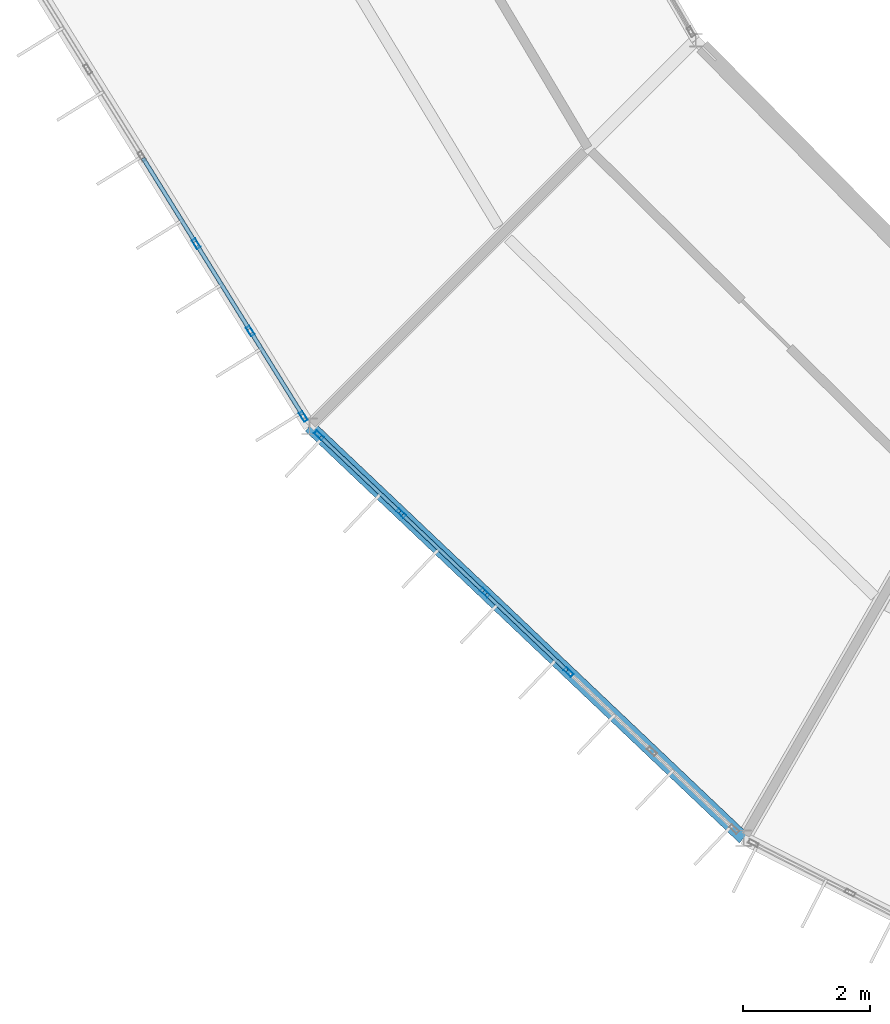
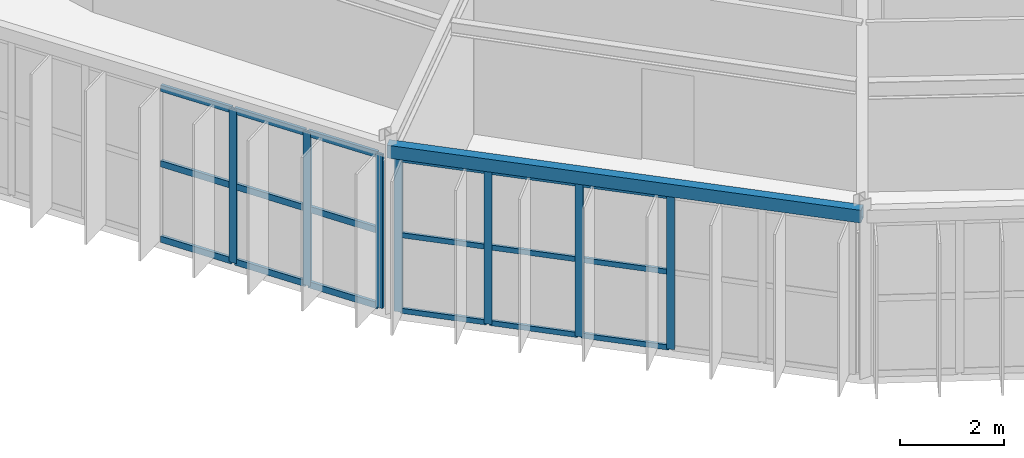
# One storey, part 22 of 130: 25 members, 1 beam, 2 elements without a shape of their own.
"""IFC4 building model written with IfcOpenShell, lengths in metres."""

from ifc_helpers import new_model, si_unit, direction, frame, origin, origin_2d, place, context, subcontext, project, spatial, hollow_rectangle, extrude, material, material_profile, profile_set, type_object, element, aggregate, save


model = new_model("IFC4")

# Units and contexts
model_context = context("Model", 3, precision=1e-05, world=origin(), true_north=direction((0.0, 1.0)))
body_context = subcontext(model_context, "Body", "Model", "MODEL_VIEW")
ifc_project = project(units=[si_unit("LENGTHUNIT", "METRE"), si_unit("AREAUNIT", "SQUARE_METRE"), si_unit("VOLUMEUNIT", "CUBIC_METRE"), si_unit("PLANEANGLEUNIT", "RADIAN"), si_unit("MASSUNIT", "GRAM", prefix="KILO")], contexts=[model_context])

# Site, building, storey
site_placement = place(None, origin())
site = spatial("IfcSite", under=ifc_project, at=site_placement, CompositionType="ELEMENT")
building_placement = place(site_placement, origin())
building = spatial("IfcBuilding", under=site, at=building_placement, Name="Karori Crest Natural Sciences Institute", CompositionType="ELEMENT")
storey_placement = place(building_placement, frame((0.0, 0.0, 17.5)))
storey = spatial("IfcBuildingStorey", under=building, at=storey_placement, Name="L04", CompositionType="ELEMENT", Elevation=17.5)

# Beam
ifc_material_1 = material(Name="Hollow structural steel AS/NZS 1163 Grade C350", Category="steel")
ifc_material_profile_1 = material_profile(ifc_material_1, hollow_rectangle(XDim=0.199951171875, YDim=0.300048828125, WallThickness=0.010009765625, at=origin_2d()), Name="RHS300x200x10")
ifc_profile_set_1 = profile_set([ifc_material_profile_1], Name="Hollow structural steel AS/NZS 1163 Grade C350")
beam_type = type_object("IfcBeamType", Name="BT-15", PredefinedType="SPANDREL", material=ifc_profile_set_1)
beam_placement = place(storey_placement, frame((43.0654296875, 21.050048828125, 3.7900390625), z_axis=(0.72546900706, -0.688254836376, 0.0), x_axis=(0.688254836376, 0.72546900706, 0.0)))
element("IfcBeam", 1, at=beam_placement, inside=storey, type_object=beam_type, Name="Beam B-0506", PredefinedType="SPANDREL", context=body_context, shape_type="SweptSolid", body=[
    extrude(hollow_rectangle(XDim=0.199951171875, YDim=0.300048828125, WallThickness=0.010009765625, at=origin_2d()), origin(), (0.0, 0.0, 1.0), 9.420654296875),
])

# Curtain wall, members
ifc_material_2 = material(Name="Anodised architectural aluminium 6063-T6", Category="aluminium")
curtain_wall_type_1 = type_object("IfcCurtainWallType", Name="CWT-05", PredefinedType="NOTDEFINED", material=ifc_material_2)
curtain_wall_1_placement = place(storey_placement, origin())
curtain_wall_1 = element("IfcCurtainWall", 2, at=curtain_wall_1_placement, inside=storey, type_object=curtain_wall_type_1, Name="Curtain wall CW-0157", PredefinedType="NOTDEFINED")
ifc_material_profile_2 = material_profile(ifc_material_2, hollow_rectangle(XDim=0.06494140625, YDim=0.159912109375, WallThickness=0.00390625, at=origin_2d()), Name="CWM160x65x4")
ifc_profile_set_2 = profile_set([ifc_material_profile_2], Name="Anodised architectural aluminium 6063-T6")
member_type_1 = type_object("IfcMemberType", Name="CWM-01", PredefinedType="MULLION", material=ifc_profile_set_2)
member_1_placement = place(storey_placement, frame((42.96875, 21.205810546875, 0.0), z_axis=(0.0, 0.0, 1.0), x_axis=(-0.849661985715, -0.527327706489, 0.0)))
member_1 = element("IfcMember", 3, at=member_1_placement, type_object=member_type_1, Name="CW-0157 mullion 1", PredefinedType="MULLION", context=body_context, shape_type="SweptSolid", body=[
    extrude(hollow_rectangle(XDim=0.06494140625, YDim=0.159912109375, WallThickness=0.00390625, at=origin_2d()), origin(), (0.0, 0.0, 1.0), 3.625),
])
member_2_placement = place(storey_placement, frame((42.13330078125, 22.552001953125, 0.0), z_axis=(0.0, 0.0, 1.0), x_axis=(-0.849661985715, -0.527327706489, 0.0)))
member_2 = element("IfcMember", 4, at=member_2_placement, type_object=member_type_1, Name="CW-0157 mullion 2", PredefinedType="MULLION", context=body_context, shape_type="SweptSolid", body=[
    extrude(hollow_rectangle(XDim=0.06494140625, YDim=0.159912109375, WallThickness=0.00390625, at=origin_2d()), origin(), (0.0, 0.0, 1.0), 3.625),
])
member_3_placement = place(storey_placement, frame((41.28076171875, 23.92578125, 0.0), z_axis=(0.0, 0.0, 1.0), x_axis=(-0.849661985715, -0.527327706489, 0.0)))
member_3 = element("IfcMember", 5, at=member_3_placement, type_object=member_type_1, Name="CW-0157 mullion 3", PredefinedType="MULLION", context=body_context, shape_type="SweptSolid", body=[
    extrude(hollow_rectangle(XDim=0.06494140625, YDim=0.159912109375, WallThickness=0.00390625, at=origin_2d()), origin(), (0.0, 0.0, 1.0), 3.625),
])

curtain_wall_type_2 = type_object("IfcCurtainWallType", Name="CWT-06", PredefinedType="NOTDEFINED", material=ifc_material_2)
curtain_wall_2_placement = place(storey_placement, origin())
curtain_wall_2 = element("IfcCurtainWall", 6, at=curtain_wall_2_placement, inside=storey, type_object=curtain_wall_type_2, Name="Curtain wall CW-0159", PredefinedType="NOTDEFINED")
member_4_placement = place(storey_placement, frame((47.141357421875, 17.18310546875, 0.0), z_axis=(0.0, 0.0, 1.0), x_axis=(-0.688252251648, -0.725471459192, 0.0)))
member_4 = element("IfcMember", 7, at=member_4_placement, type_object=member_type_1, Name="CW-0159 mullion 3", PredefinedType="MULLION", context=body_context, shape_type="SweptSolid", body=[
    extrude(hollow_rectangle(XDim=0.06494140625, YDim=0.159912109375, WallThickness=0.00390625, at=origin_2d()), origin(), (0.0, 0.0, 1.0), 3.625),
])
member_5_placement = place(storey_placement, frame((45.824951171875, 18.43212890625, 0.0), z_axis=(0.0, 0.0, 1.0), x_axis=(-0.688252251648, -0.725471459192, 0.0)))
member_5 = element("IfcMember", 8, at=member_5_placement, type_object=member_type_1, Name="CW-0159 mullion 4", PredefinedType="MULLION", context=body_context, shape_type="SweptSolid", body=[
    extrude(hollow_rectangle(XDim=0.06494140625, YDim=0.159912109375, WallThickness=0.00390625, at=origin_2d()), origin(), (0.0, 0.0, 1.0), 3.625),
])
member_6_placement = place(storey_placement, frame((44.508544921875, 19.68115234375, 0.0), z_axis=(0.0, 0.0, 1.0), x_axis=(-0.688252251648, -0.725471459192, 0.0)))
member_6 = element("IfcMember", 9, at=member_6_placement, type_object=member_type_1, Name="CW-0159 mullion 5", PredefinedType="MULLION", context=body_context, shape_type="SweptSolid", body=[
    extrude(hollow_rectangle(XDim=0.06494140625, YDim=0.159912109375, WallThickness=0.00390625, at=origin_2d()), origin(), (0.0, 0.0, 1.0), 3.625),
])
member_7_placement = place(storey_placement, frame((43.215576171875, 20.90771484375, 0.0), z_axis=(0.0, 0.0, 1.0), x_axis=(-0.688252251648, -0.725471459192, 0.0)))
member_7 = element("IfcMember", 10, at=member_7_placement, type_object=member_type_1, Name="CW-0159 mullion 6", PredefinedType="MULLION", context=body_context, shape_type="SweptSolid", body=[
    extrude(hollow_rectangle(XDim=0.06494140625, YDim=0.159912109375, WallThickness=0.00390625, at=origin_2d()), origin(), (0.0, 0.0, 1.0), 3.625),
])
ifc_material_profile_3 = material_profile(ifc_material_2, hollow_rectangle(XDim=0.06005859375, YDim=0.1201171875, WallThickness=0.00390625, at=origin_2d()), Name="CWT120x60x4")
ifc_profile_set_3 = profile_set([ifc_material_profile_3], Name="Anodised architectural aluminium 6063-T6")
member_type_2 = type_object("IfcMemberType", Name="CWT-TR1", PredefinedType="USERDEFINED", material=ifc_profile_set_3)
member_8_placement = place(storey_placement, frame((47.117919921875, 17.20556640625, 0.030029296875), z_axis=(-0.725490496247, 0.688232184553, 0.0), x_axis=(-0.688232184553, -0.725490496247, 0.0)))
member_8 = element("IfcMember", 11, at=member_8_placement, type_object=member_type_2, Name="CW-0159 transom 3.1", ObjectType="TRANSOM", PredefinedType="USERDEFINED", context=body_context, shape_type="SweptSolid", body=[
    extrude(hollow_rectangle(XDim=0.06005859375, YDim=0.1201171875, WallThickness=0.00390625, at=origin_2d()), origin(), (0.0, 0.0, 1.0), 1.74951171875),
])
member_9_placement = place(storey_placement, frame((47.117919921875, 17.20556640625, 1.8125), z_axis=(-0.725490496247, 0.688232184553, 0.0), x_axis=(-0.688232184553, -0.725490496247, 0.0)))
member_9 = element("IfcMember", 12, at=member_9_placement, type_object=member_type_2, Name="CW-0159 transom 3.2", ObjectType="TRANSOM", PredefinedType="USERDEFINED", context=body_context, shape_type="SweptSolid", body=[
    extrude(hollow_rectangle(XDim=0.06005859375, YDim=0.1201171875, WallThickness=0.00390625, at=origin_2d()), origin(), (0.0, 0.0, 1.0), 1.74951171875),
])
member_10_placement = place(storey_placement, frame((47.117919921875, 17.20556640625, 3.594970703125), z_axis=(-0.725490496247, 0.688232184553, 0.0), x_axis=(-0.688232184553, -0.725490496247, 0.0)))
member_10 = element("IfcMember", 13, at=member_10_placement, type_object=member_type_2, Name="CW-0159 transom 3.3", ObjectType="TRANSOM", PredefinedType="USERDEFINED", context=body_context, shape_type="SweptSolid", body=[
    extrude(hollow_rectangle(XDim=0.06005859375, YDim=0.1201171875, WallThickness=0.00390625, at=origin_2d()), origin(), (0.0, 0.0, 1.0), 1.74951171875),
])
member_11_placement = place(storey_placement, frame((45.80126953125, 18.45458984375, 0.030029296875), z_axis=(-0.725490496247, 0.688232184553, 0.0), x_axis=(-0.688232184553, -0.725490496247, 0.0)))
member_11 = element("IfcMember", 14, at=member_11_placement, type_object=member_type_2, Name="CW-0159 transom 4.1", ObjectType="TRANSOM", PredefinedType="USERDEFINED", context=body_context, shape_type="SweptSolid", body=[
    extrude(hollow_rectangle(XDim=0.06005859375, YDim=0.1201171875, WallThickness=0.00390625, at=origin_2d()), origin(), (0.0, 0.0, 1.0), 1.74951171875),
])
member_12_placement = place(storey_placement, frame((45.80126953125, 18.45458984375, 1.8125), z_axis=(-0.725490496247, 0.688232184553, 0.0), x_axis=(-0.688232184553, -0.725490496247, 0.0)))
member_12 = element("IfcMember", 15, at=member_12_placement, type_object=member_type_2, Name="CW-0159 transom 4.2", ObjectType="TRANSOM", PredefinedType="USERDEFINED", context=body_context, shape_type="SweptSolid", body=[
    extrude(hollow_rectangle(XDim=0.06005859375, YDim=0.1201171875, WallThickness=0.00390625, at=origin_2d()), origin(), (0.0, 0.0, 1.0), 1.74951171875),
])
member_13_placement = place(storey_placement, frame((45.80126953125, 18.45458984375, 3.594970703125), z_axis=(-0.725490496247, 0.688232184553, 0.0), x_axis=(-0.688232184553, -0.725490496247, 0.0)))
member_13 = element("IfcMember", 16, at=member_13_placement, type_object=member_type_2, Name="CW-0159 transom 4.3", ObjectType="TRANSOM", PredefinedType="USERDEFINED", context=body_context, shape_type="SweptSolid", body=[
    extrude(hollow_rectangle(XDim=0.06005859375, YDim=0.1201171875, WallThickness=0.00390625, at=origin_2d()), origin(), (0.0, 0.0, 1.0), 1.74951171875),
])
member_14_placement = place(storey_placement, frame((44.48486328125, 19.703369140625, 0.030029296875), z_axis=(-0.725418188491, 0.688308398762, 0.0), x_axis=(-0.688308398762, -0.725418188491, 0.0)))
member_14 = element("IfcMember", 17, at=member_14_placement, type_object=member_type_2, Name="CW-0159 transom 5.1", ObjectType="TRANSOM", PredefinedType="USERDEFINED", context=body_context, shape_type="SweptSolid", body=[
    extrude(hollow_rectangle(XDim=0.06005859375, YDim=0.1201171875, WallThickness=0.00390625, at=origin_2d()), origin(), (0.0, 0.0, 1.0), 1.717041015625),
])
member_15_placement = place(storey_placement, frame((44.48486328125, 19.703369140625, 1.8125), z_axis=(-0.725418188491, 0.688308398762, 0.0), x_axis=(-0.688308398762, -0.725418188491, 0.0)))
member_15 = element("IfcMember", 18, at=member_15_placement, type_object=member_type_2, Name="CW-0159 transom 5.2", ObjectType="TRANSOM", PredefinedType="USERDEFINED", context=body_context, shape_type="SweptSolid", body=[
    extrude(hollow_rectangle(XDim=0.06005859375, YDim=0.1201171875, WallThickness=0.00390625, at=origin_2d()), origin(), (0.0, 0.0, 1.0), 1.717041015625),
])
member_16_placement = place(storey_placement, frame((44.48486328125, 19.703369140625, 3.594970703125), z_axis=(-0.725418188491, 0.688308398762, 0.0), x_axis=(-0.688308398762, -0.725418188491, 0.0)))
member_16 = element("IfcMember", 19, at=member_16_placement, type_object=member_type_2, Name="CW-0159 transom 5.3", ObjectType="TRANSOM", PredefinedType="USERDEFINED", context=body_context, shape_type="SweptSolid", body=[
    extrude(hollow_rectangle(XDim=0.06005859375, YDim=0.1201171875, WallThickness=0.00390625, at=origin_2d()), origin(), (0.0, 0.0, 1.0), 1.717041015625),
])
aggregate(curtain_wall_2, [member_4, member_5, member_6, member_7, member_8, member_9, member_10, member_11, member_12, member_13, member_14, member_15, member_16])

# Member
ifc_material_profile_4 = material_profile(ifc_material_2, hollow_rectangle(XDim=0.06494140625, YDim=0.14990234375, WallThickness=0.00390625, at=origin_2d()), Name="CWT150x65x4")
ifc_profile_set_4 = profile_set([ifc_material_profile_4], Name="Anodised architectural aluminium 6063-T6")
member_type_3 = type_object("IfcMemberType", Name="CWT-TR2", PredefinedType="USERDEFINED", material=ifc_profile_set_4)
member_17_placement = place(storey_placement, frame((42.95166015625, 21.233642578125, 0.032470703125), z_axis=(-0.527410863432, 0.84961037019, 0.0), x_axis=(-0.84961037019, -0.527410863432, 0.0)))
member_17 = element("IfcMember", 20, at=member_17_placement, type_object=member_type_3, Name="CW-0157 transom 1.1", ObjectType="TRANSOM", PredefinedType="USERDEFINED", context=body_context, shape_type="SweptSolid", body=[
    extrude(hollow_rectangle(XDim=0.06494140625, YDim=0.14990234375, WallThickness=0.00390625, at=origin_2d()), origin(), (0.0, 0.0, 1.0), 1.519287109375),
])

member_18_placement = place(storey_placement, frame((42.95166015625, 21.233642578125, 1.8125), z_axis=(-0.527410863432, 0.84961037019, 0.0), x_axis=(-0.84961037019, -0.527410863432, 0.0)))
member_18 = element("IfcMember", 21, at=member_18_placement, type_object=member_type_3, Name="CW-0157 transom 1.2", ObjectType="TRANSOM", PredefinedType="USERDEFINED", context=body_context, shape_type="SweptSolid", body=[
    extrude(hollow_rectangle(XDim=0.06494140625, YDim=0.14990234375, WallThickness=0.00390625, at=origin_2d()), origin(), (0.0, 0.0, 1.0), 1.519287109375),
])

member_19_placement = place(storey_placement, frame((42.95166015625, 21.233642578125, 3.592529296875), z_axis=(-0.527410863432, 0.84961037019, 0.0), x_axis=(-0.84961037019, -0.527410863432, 0.0)))
member_19 = element("IfcMember", 22, at=member_19_placement, type_object=member_type_3, Name="CW-0157 transom 1.3", ObjectType="TRANSOM", PredefinedType="USERDEFINED", context=body_context, shape_type="SweptSolid", body=[
    extrude(hollow_rectangle(XDim=0.06494140625, YDim=0.14990234375, WallThickness=0.00390625, at=origin_2d()), origin(), (0.0, 0.0, 1.0), 1.519287109375),
])

member_20_placement = place(storey_placement, frame((42.1162109375, 22.57958984375, 0.032470703125), z_axis=(-0.527323700977, 0.849664471652, 0.0), x_axis=(-0.849664471652, -0.527323700977, 0.0)))
member_20 = element("IfcMember", 23, at=member_20_placement, type_object=member_type_3, Name="CW-0157 transom 2.1", ObjectType="TRANSOM", PredefinedType="USERDEFINED", context=body_context, shape_type="SweptSolid", body=[
    extrude(hollow_rectangle(XDim=0.06494140625, YDim=0.14990234375, WallThickness=0.00390625, at=origin_2d()), origin(), (0.0, 0.0, 1.0), 1.552001953125),
])

member_21_placement = place(storey_placement, frame((42.1162109375, 22.57958984375, 1.8125), z_axis=(-0.527323700977, 0.849664471652, 0.0), x_axis=(-0.849664471652, -0.527323700977, 0.0)))
member_21 = element("IfcMember", 24, at=member_21_placement, type_object=member_type_3, Name="CW-0157 transom 2.2", ObjectType="TRANSOM", PredefinedType="USERDEFINED", context=body_context, shape_type="SweptSolid", body=[
    extrude(hollow_rectangle(XDim=0.06494140625, YDim=0.14990234375, WallThickness=0.00390625, at=origin_2d()), origin(), (0.0, 0.0, 1.0), 1.552001953125),
])

member_22_placement = place(storey_placement, frame((42.1162109375, 22.57958984375, 3.592529296875), z_axis=(-0.527323700977, 0.849664471652, 0.0), x_axis=(-0.849664471652, -0.527323700977, 0.0)))
member_22 = element("IfcMember", 25, at=member_22_placement, type_object=member_type_3, Name="CW-0157 transom 2.3", ObjectType="TRANSOM", PredefinedType="USERDEFINED", context=body_context, shape_type="SweptSolid", body=[
    extrude(hollow_rectangle(XDim=0.06494140625, YDim=0.14990234375, WallThickness=0.00390625, at=origin_2d()), origin(), (0.0, 0.0, 1.0), 1.552001953125),
])

member_23_placement = place(storey_placement, frame((41.263671875, 23.953369140625, 0.032470703125), z_axis=(-0.527323700977, 0.849664471652, 0.0), x_axis=(-0.849664471652, -0.527323700977, 0.0)))
member_23 = element("IfcMember", 26, at=member_23_placement, type_object=member_type_3, Name="CW-0157 transom 3.1", ObjectType="TRANSOM", PredefinedType="USERDEFINED", context=body_context, shape_type="SweptSolid", body=[
    extrude(hollow_rectangle(XDim=0.06494140625, YDim=0.14990234375, WallThickness=0.00390625, at=origin_2d()), origin(), (0.0, 0.0, 1.0), 1.552001953125),
])

member_24_placement = place(storey_placement, frame((41.263671875, 23.953369140625, 1.8125), z_axis=(-0.527323700977, 0.849664471652, 0.0), x_axis=(-0.849664471652, -0.527323700977, 0.0)))
member_24 = element("IfcMember", 27, at=member_24_placement, type_object=member_type_3, Name="CW-0157 transom 3.2", ObjectType="TRANSOM", PredefinedType="USERDEFINED", context=body_context, shape_type="SweptSolid", body=[
    extrude(hollow_rectangle(XDim=0.06494140625, YDim=0.14990234375, WallThickness=0.00390625, at=origin_2d()), origin(), (0.0, 0.0, 1.0), 1.552001953125),
])

member_25_placement = place(storey_placement, frame((41.263671875, 23.953369140625, 3.592529296875), z_axis=(-0.527323700977, 0.849664471652, 0.0), x_axis=(-0.849664471652, -0.527323700977, 0.0)))
member_25 = element("IfcMember", 28, at=member_25_placement, type_object=member_type_3, Name="CW-0157 transom 3.3", ObjectType="TRANSOM", PredefinedType="USERDEFINED", context=body_context, shape_type="SweptSolid", body=[
    extrude(hollow_rectangle(XDim=0.06494140625, YDim=0.14990234375, WallThickness=0.00390625, at=origin_2d()), origin(), (0.0, 0.0, 1.0), 1.552001953125),
])

aggregate(curtain_wall_1, [member_1, member_2, member_3, member_17, member_18, member_19, member_20, member_21, member_22, member_23, member_24, member_25])

save(model, "model.ifc")
